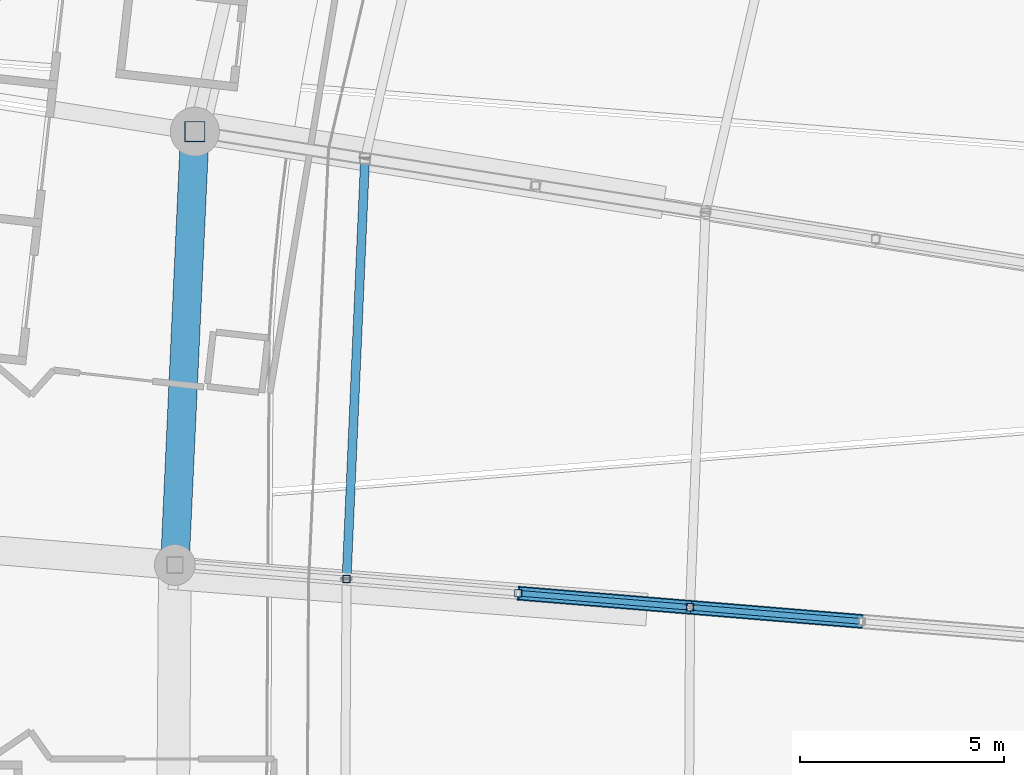
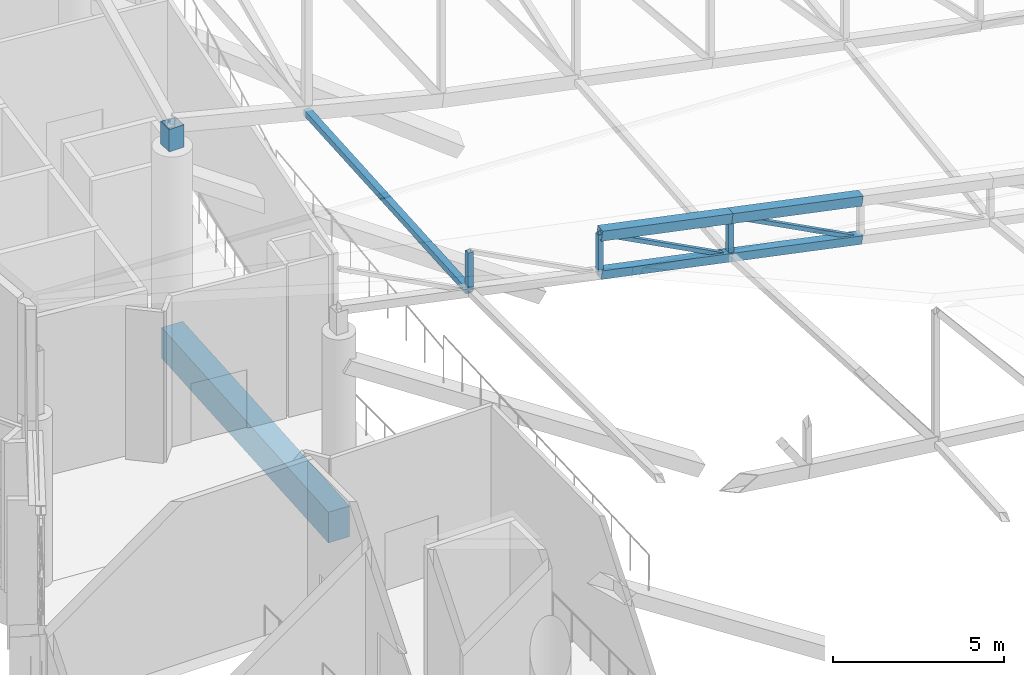
# One storey, part 121 of 344: 11 members, 1 beam.
"""IFC4 building model written with IfcOpenShell, lengths in metres."""

import ifcopenshell
import ifcopenshell.guid

model = None  # the IFC model being written
_history = None  # IfcOwnerHistory: only IFC2X3 demands one
_inside = {}  # id of a spatial element -> (the spatial element, [elements in it])
_under = {}  # id of a project, library or spatial element -> (it, [spatial elements below it])
_declared = {}  # id of a project -> (the project, [libraries it declares])
_typed = {}  # id of a type object -> (the type object, [elements of that type])
_made_of = {}  # id of a material, layer set ... -> (it, [elements and type objects made of it])


def new_model(schema):
    """Start an empty IFC model of exactly this schema.

    Asked for "IFC4X3", IfcOpenShell would pick the latest addendum, in which some entities
    have other attributes; the version numbers below select the first issue.
    IFC2X3 requires an IfcOwnerHistory on every rooted entity: one is made here for all.
    """
    global model, _history
    if schema == "IFC4X3":
        model = ifcopenshell.file(schema_version=(4, 3, 0, 0))
    else:
        model = ifcopenshell.file(schema=schema)
    _inside.clear()
    _under.clear()
    _declared.clear()
    _typed.clear()
    _made_of.clear()
    _history = None
    if model.schema == "IFC2X3":
        org = make("IfcOrganization", Name="unknown")
        user = make(
            "IfcPersonAndOrganization",
            ThePerson=make("IfcPerson", FamilyName="unknown"),
            TheOrganization=org,
        )
        app = make(
            "IfcApplication",
            ApplicationDeveloper=org,
            Version="unknown",
            ApplicationFullName="unknown",
            ApplicationIdentifier="unknown",
        )
        _history = make(
            "IfcOwnerHistory",
            OwningUser=user,
            OwningApplication=app,
            ChangeAction="ADDED",
            CreationDate=0,
        )
    return model


def make(cls, **values):
    """One entity of the class cls with the attributes given. An attribute that is None is left unset."""
    return model.create_entity(
        cls, **{name: value for name, value in values.items() if value is not None}
    )


def rooted(cls, **values):
    """An entity with a GlobalId (a new one), such as an element, a storey or a relation."""
    return make(cls, GlobalId=ifcopenshell.guid.new(), OwnerHistory=_history, **values)


def si_unit(unit_type, name, prefix=None):
    """IfcSIUnit, for example si_unit("LENGTHUNIT", "METRE", prefix="MILLI")."""
    return make("IfcSIUnit", UnitType=unit_type, Prefix=prefix, Name=name)


def assignment(units):
    """IfcUnitAssignment: the units of a project."""
    return None if units is None else make("IfcUnitAssignment", Units=units)


def point(xyz):
    """IfcCartesianPoint."""
    return None if xyz is None else make("IfcCartesianPoint", Coordinates=xyz)


def direction(xyz):
    """IfcDirection."""
    return None if xyz is None else make("IfcDirection", DirectionRatios=xyz)


def frame(location, z_axis=None, x_axis=None):
    """IfcAxis2Placement3D, a coordinate frame: its origin and axes. An axis left out is left unset."""
    return make(
        "IfcAxis2Placement3D",
        Location=point(location),
        Axis=direction(z_axis),
        RefDirection=direction(x_axis),
    )


def frame_2d(location, x_axis=None):
    """IfcAxis2Placement2D, a coordinate frame in the plane: its origin and x axis."""
    return make(
        "IfcAxis2Placement2D", Location=point(location), RefDirection=direction(x_axis)
    )


def origin():
    """The frame at (0, 0, 0) with its axes left unset."""
    return frame((0.0, 0.0, 0.0))


def origin_2d():
    """The frame at (0, 0) in the plane with its x axis left unset."""
    return frame_2d((0.0, 0.0))


def place(relative_to, where):
    """IfcLocalPlacement: puts the frame where relative to a parent placement (None: the world)."""
    return make(
        "IfcLocalPlacement", PlacementRelTo=relative_to, RelativePlacement=where
    )


def context(
    kind, dimensions, precision=None, world=None, true_north=None, identifier=None
):
    """IfcGeometricRepresentationContext, for example the 3D "Model" context."""
    return make(
        "IfcGeometricRepresentationContext",
        ContextIdentifier=identifier,
        ContextType=kind,
        CoordinateSpaceDimension=dimensions,
        Precision=precision,
        WorldCoordinateSystem=world,
        TrueNorth=true_north,
    )


def subcontext(parent, identifier, kind, view, scale=None):
    """IfcGeometricRepresentationSubContext, for example "Body" below "Model"."""
    return make(
        "IfcGeometricRepresentationSubContext",
        ContextIdentifier=identifier,
        ContextType=kind,
        ParentContext=parent,
        TargetScale=scale,
        TargetView=view,
    )


def project(units=None, contexts=None):
    """IfcProject with its units and contexts."""
    return rooted(
        "IfcProject",
        Name="project",
        RepresentationContexts=contexts,
        UnitsInContext=assignment(units),
    )


def spatial(cls, under=None, at=None, **own):
    """A site, building, storey or space (cls), placed at a placement, below another one or the project."""
    s = rooted(cls, ObjectPlacement=at, **own)
    if under is not None:
        _under.setdefault(under.id(), (under, []))[1].append(s)
    return s


def profile(cls, at=None, kind="AREA", **sizes):
    """A parametric profile (cls). Its sizes go by their IFC names, for example OverallWidth=200.0."""
    return make(cls, ProfileType=kind, Position=at, **sizes)


def rectangle(**sizes):
    """IfcRectangleProfileDef."""
    return profile("IfcRectangleProfileDef", **sizes)


def hollow_rectangle(**sizes):
    """IfcRectangleHollowProfileDef."""
    return profile("IfcRectangleHollowProfileDef", **sizes)


def extrude(swept, where, along, depth):
    """IfcExtrudedAreaSolid: the profile swept, set in the frame where, extruded along a direction by depth."""
    return make(
        "IfcExtrudedAreaSolid",
        SweptArea=swept,
        Position=where,
        ExtrudedDirection=direction(along),
        Depth=depth,
    )


def shape(context_of_items, identifier, shape_type, items):
    """IfcShapeRepresentation: the items that make up one representation, for example the "Body"."""
    return make(
        "IfcShapeRepresentation",
        ContextOfItems=context_of_items,
        RepresentationIdentifier=identifier,
        RepresentationType=shape_type,
        Items=items,
    )


def material(Name=None, Category=None):
    """IfcMaterial."""
    return make("IfcMaterial", Name=Name, Category=Category)


def material_profile(
    of_material, cross_section, Name=None, Category=None, Priority=None
):
    """IfcMaterialProfile: a cross section and its material."""
    return make(
        "IfcMaterialProfile",
        Name=Name,
        Material=of_material,
        Profile=cross_section,
        Priority=Priority,
        Category=Category,
    )


def profile_set(profiles, Name=None, composite=None):
    """IfcMaterialProfileSet."""
    return make(
        "IfcMaterialProfileSet",
        Name=Name,
        MaterialProfiles=profiles,
        CompositeProfile=composite,
    )


def made_of(thing, what):
    """Note that an element or type object is made of a material, layer set ...; save() writes the relation."""
    if what is not None:
        _made_of.setdefault(what.id(), (what, []))[1].append(thing)
    return thing


def type_object(cls, material=None, **own):
    """A type object (cls), such as IfcWallType, which elements share."""
    return made_of(rooted(cls, **own), material)


def element(
    cls,
    number,
    at=None,
    inside=None,
    cuts=None,
    type_object=None,
    material=None,
    context=None,
    identifier="Body",
    shape_type=None,
    held_by="IfcProductDefinitionShape",
    body=None,
    shapes=None,
    **own,
):
    """One element of the class cls, such as IfcWall. Its Tag is "e" and its number.

    at: its placement. inside: the storey or other place that contains it. cuts: it is an
    opening in that element (IfcRelVoidsElement). A single representation is given by context,
    identifier, shape_type and body (its items); several are given by shapes. held_by: the class
    of the entity that holds the representations. save() writes the other relations.
    """
    e = rooted(cls, Tag="e%d" % number, ObjectPlacement=at, **own)
    if body is not None:
        shapes = [shape(context, identifier, shape_type, body)]
    if shapes is not None:
        e.Representation = make(held_by, Representations=shapes)
    if inside is not None:
        _inside.setdefault(inside.id(), (inside, []))[1].append(e)
    if cuts is not None:
        rooted(
            "IfcRelVoidsElement", RelatingBuildingElement=cuts, RelatedOpeningElement=e
        )
    if type_object is not None:
        _typed.setdefault(type_object.id(), (type_object, []))[1].append(e)
    return made_of(e, material)


def aggregate(whole, parts):
    """IfcRelAggregates: a whole, such as a stair, and the parts it consists of."""
    return rooted("IfcRelAggregates", RelatingObject=whole, RelatedObjects=parts)


def save(model, path):
    """Write the relations noted so far, then the file.

    IfcRelAggregates (storeys below a building ...), IfcRelContainedInSpatialStructure (elements
    in a storey), IfcRelDefinesByType, IfcRelAssociatesMaterial and IfcRelDeclares: one each for
    every whole, place, type object, material and project.
    """
    for whole, parts in _under.values():
        aggregate(whole, parts)
    for where, things in _inside.values():
        rooted(
            "IfcRelContainedInSpatialStructure",
            RelatedElements=things,
            RelatingStructure=where,
        )
    for kind, things in _typed.values():
        rooted("IfcRelDefinesByType", RelatedObjects=things, RelatingType=kind)
    for what, things in _made_of.values():
        rooted("IfcRelAssociatesMaterial", RelatedObjects=things, RelatingMaterial=what)
    for by, libraries in _declared.values():
        rooted("IfcRelDeclares", RelatingContext=by, RelatedDefinitions=libraries)
    model.write(path)


model = new_model("IFC4")

# Units and contexts
model_context = context("Model", 3, precision=1e-05, world=origin(), true_north=direction((0.0, 1.0)))
body_context = subcontext(model_context, "Body", "Model", "MODEL_VIEW")
ifc_project = project(units=[si_unit("LENGTHUNIT", "METRE"), si_unit("AREAUNIT", "SQUARE_METRE"), si_unit("VOLUMEUNIT", "CUBIC_METRE"), si_unit("PLANEANGLEUNIT", "RADIAN"), si_unit("MASSUNIT", "GRAM", prefix="KILO")], contexts=[model_context])

# Site, building, storey
site_placement = place(None, origin())
site = spatial("IfcSite", under=ifc_project, at=site_placement, CompositionType="ELEMENT")
building_placement = place(site_placement, origin())
building = spatial("IfcBuilding", under=site, at=building_placement, Name="Meseta Stadium", CompositionType="ELEMENT")
storey_placement = place(building_placement, frame((0.0, 0.0, 24.0)))
storey = spatial("IfcBuildingStorey", under=building, at=storey_placement, Name="L04", CompositionType="ELEMENT", Elevation=24.0)

# Beam
ifc_material_1 = material(Name="Concrete C40/50", Category="concrete")
ifc_material_profile_1 = material_profile(ifc_material_1, rectangle(XDim=0.699951171875, YDim=1.10009765625, at=origin_2d()), Name="RC 700x1100")
ifc_profile_set_1 = profile_set([ifc_material_profile_1], Name="Concrete C40/50")
beam_type = type_object("IfcBeamType", Name="RC beam 700x1100", PredefinedType="BEAM", material=ifc_profile_set_1)
beam_placement = place(storey_placement, frame((-84.36328125, 53.5654296875, -0.949951171875), z_axis=(-0.046171416705, -0.998933531462, 0.0), x_axis=(0.998933531462, -0.046171416705, 0.0)))
element("IfcBeam", 1, at=beam_placement, inside=storey, type_object=beam_type, Name="L04 ring beam frame 28 line P", PredefinedType="BEAM", context=body_context, shape_type="SweptSolid", body=[
    extrude(rectangle(XDim=0.699951171875, YDim=1.10009765625, at=origin_2d()), origin(), (0.0, 0.0, 1.0), 10.628173828125),
])

# Members
ifc_material_2 = material(Name="Steel S355", Category="steel")
ifc_material_profile_2 = material_profile(ifc_material_2, hollow_rectangle(XDim=0.139892578125, YDim=0.139892578125, WallThickness=0.0048828125, at=origin_2d()), Name="SHS 140x140x5")
ifc_profile_set_2 = profile_set([ifc_material_profile_2], Name="Steel S355")
member_type_1 = type_object("IfcMemberType", Name="SHS 140x140x5 diagonal", PredefinedType="BRACE", material=ifc_profile_set_2)
member_1_placement = place(storey_placement, frame((-68.022216796875, 41.564453125, 4.26611328125), z_axis=(-0.897440346301, 0.073780051677, 0.434922210063), x_axis=(-0.081935226242, -0.996637656674, 0.0)))
element("IfcMember", 2, at=member_1_placement, inside=storey, type_object=member_type_1, Name="ROOF TRUSS RT-29 diagonal", PredefinedType="BRACE", context=body_context, shape_type="SweptSolid", body=[
    extrude(hollow_rectangle(XDim=0.139892578125, YDim=0.139892578125, WallThickness=0.0048828125, at=origin_2d()), origin(), (0.0, 0.0, 1.0), 4.68896484375),
])
member_2_placement = place(storey_placement, frame((-72.230224609375, 41.910400390625, 4.899658203125), z_axis=(-0.897430213156, 0.073783499393, 0.434942533826), x_axis=(-0.081939948326, -0.996637268452, 0.0)))
element("IfcMember", 3, at=member_2_placement, inside=storey, type_object=member_type_1, Name="ROOF TRUSS RT-29 diagonal", PredefinedType="BRACE", context=body_context, shape_type="SweptSolid", body=[
    extrude(hollow_rectangle(XDim=0.139892578125, YDim=0.139892578125, WallThickness=0.0048828125, at=origin_2d()), origin(), (0.0, 0.0, 1.0), 4.688720703125),
])
ifc_material_3 = material(Name="Steel S355", Category="steel")
ifc_material_profile_3 = material_profile(ifc_material_3, hollow_rectangle(XDim=0.179931640625, YDim=0.179931640625, WallThickness=0.00634765625, at=origin_2d()), Name="SHS 180x180x6.3")
ifc_profile_set_3 = profile_set([ifc_material_profile_3], Name="Steel S355")
member_type_2 = type_object("IfcMemberType", Name="SHS 180x180x6.3 post", PredefinedType="POST", material=ifc_profile_set_3)
member_3_placement = place(storey_placement, frame((-72.230224609375, 41.910400390625, 4.899658203125), z_axis=(0.0, 0.0, 1.0), x_axis=(1.0, 0.0, 0.0)))
element("IfcMember", 4, at=member_3_placement, inside=storey, type_object=member_type_2, Name="ROOF TRUSS RT-29 post", PredefinedType="POST", context=body_context, shape_type="SweptSolid", body=[
    extrude(hollow_rectangle(XDim=0.179931640625, YDim=0.179931640625, WallThickness=0.00634765625, at=origin_2d()), origin(), (0.0, 0.0, 1.0), 1.40576171875),
])
for number, where, z_axis, x_axis, name in (
    (5, (-76.43798828125, 42.25634765625, 5.532958984375), (0.0, 0.0, 1.0), (1.0, 0.0, 0.0), "ROOF TRUSS RT-29 post"),
    (6, (-80.64599609375, 42.6025390625, 6.16650390625), (0.0, 0.0, 1.0), (1.0, 0.0, 0.0), "ROOF TRUSS RT-29 post"),
):
    element("IfcMember", number, at=place(storey_placement, frame(where, z_axis=z_axis, x_axis=x_axis)), inside=storey, type_object=member_type_2, Name=name, PredefinedType="POST", context=body_context, shape_type="SweptSolid", body=[
        extrude(hollow_rectangle(XDim=0.179931640625, YDim=0.179931640625, WallThickness=0.00634765625, at=origin_2d()), origin(), (0.0, 0.0, 1.0), 1.406005859375),
    ])
ifc_material_4 = material(Name="Steel S355", Category="steel")
ifc_material_profile_4 = material_profile(ifc_material_4, hollow_rectangle(XDim=0.219970703125, YDim=0.219970703125, WallThickness=0.008056640625, at=origin_2d()), Name="SHS 220x220x8")
ifc_profile_set_4 = profile_set([ifc_material_profile_4], Name="Steel S355")
member_type_3 = type_object("IfcMemberType", Name="SHS 220x220x8 strut", PredefinedType="STRUT", material=ifc_profile_set_4)
member_4_placement = place(storey_placement, frame((-80.19287109375, 52.90625, 6.160888671875), z_axis=(-0.043934404422, -0.999034269526, 0.000544445744), x_axis=(0.999034417593, -0.043934410934, 0.0)))
element("IfcMember", 7, at=member_4_placement, inside=storey, type_object=member_type_3, Name="ROOF TRUSS STRUT RT-28/29", PredefinedType="STRUT", context=body_context, shape_type="SweptSolid", body=[
    extrude(hollow_rectangle(XDim=0.219970703125, YDim=0.219970703125, WallThickness=0.008056640625, at=origin_2d()), origin(), (0.0, 0.0, 1.0), 10.313720703125),
])
ifc_material_5 = material(Name="Steel S355", Category="steel")
ifc_material_profile_5 = material_profile(ifc_material_5, hollow_rectangle(XDim=0.300048828125, YDim=0.300048828125, WallThickness=0.010009765625, at=origin_2d()), Name="SHS 300x300x10")
ifc_profile_set_5 = profile_set([ifc_material_profile_5], Name="Steel S355")
member_type_4 = type_object("IfcMemberType", Name="SHS 300x300x10 bottom chord", PredefinedType="CHORD", material=ifc_profile_set_5)
member_5_placement = place(storey_placement, frame((-68.022216796875, 41.564453125, 4.26611328125), z_axis=(-0.985603870366, 0.081028120464, 0.148389536064), x_axis=(-0.081935226242, -0.996637656674, 0.0)))
element("IfcMember", 8, at=member_5_placement, inside=storey, type_object=member_type_4, Name="ROOF TRUSS RT-29 bottom chord", PredefinedType="CHORD", context=body_context, shape_type="SweptSolid", body=[
    extrude(hollow_rectangle(XDim=0.300048828125, YDim=0.300048828125, WallThickness=0.010009765625, at=origin_2d()), origin(), (0.0, 0.0, 1.0), 4.26953125),
])
member_6_placement = place(storey_placement, frame((-72.230224609375, 41.910400390625, 4.899658203125), z_axis=(-0.985610598262, 0.081033374977, 0.148341972259), x_axis=(-0.081939948326, -0.996637268452, 0.0)))
element("IfcMember", 9, at=member_6_placement, inside=storey, type_object=member_type_4, Name="ROOF TRUSS RT-29 bottom chord", PredefinedType="CHORD", context=body_context, shape_type="SweptSolid", body=[
    extrude(hollow_rectangle(XDim=0.300048828125, YDim=0.300048828125, WallThickness=0.010009765625, at=origin_2d()), origin(), (0.0, 0.0, 1.0), 4.269287109375),
])
ifc_material_6 = material(Name="Steel S355", Category="steel")
ifc_material_profile_6 = material_profile(ifc_material_6, hollow_rectangle(XDim=0.35009765625, YDim=0.35009765625, WallThickness=0.010009765625, at=origin_2d()), Name="SHS 350x350x10")
ifc_profile_set_6 = profile_set([ifc_material_profile_6], Name="Steel S355")
member_type_5 = type_object("IfcMemberType", Name="SHS 350x350x10 top chord", PredefinedType="CHORD", material=ifc_profile_set_6)
member_7_placement = place(storey_placement, frame((-68.022216796875, 41.564453125, 5.672119140625), z_axis=(-0.985612232044, 0.081028807891, 0.148333611622), x_axis=(-0.081935226242, -0.996637656674, 0.0)))
element("IfcMember", 10, at=member_7_placement, inside=storey, type_object=member_type_5, Name="ROOF TRUSS RT-29 top chord", PredefinedType="CHORD", context=body_context, shape_type="SweptSolid", body=[
    extrude(hollow_rectangle(XDim=0.35009765625, YDim=0.35009765625, WallThickness=0.010009765625, at=origin_2d()), origin(), (0.0, 0.0, 1.0), 4.26953125),
])
member_8_placement = place(storey_placement, frame((-72.230224609375, 41.910400390625, 6.305419921875), z_axis=(-0.985602235655, 0.081032687434, 0.148397899711), x_axis=(-0.081939948326, -0.996637268452, 0.0)))
element("IfcMember", 11, at=member_8_placement, inside=storey, type_object=member_type_5, Name="ROOF TRUSS RT-29 top chord", PredefinedType="CHORD", context=body_context, shape_type="SweptSolid", body=[
    extrude(hollow_rectangle(XDim=0.35009765625, YDim=0.35009765625, WallThickness=0.010009765625, at=origin_2d()), origin(), (0.0, 0.0, 1.0), 4.269287109375),
])
ifc_material_7 = material(Name="Steel S355", Category="steel")
ifc_material_profile_7 = material_profile(ifc_material_7, hollow_rectangle(XDim=0.5, YDim=0.5, WallThickness=0.01611328125, at=origin_2d()), Name="SHS 500x500x16")
ifc_profile_set_7 = profile_set([ifc_material_profile_7], Name="Steel S355")
member_type_6 = type_object("IfcMemberType", Name="SHS 500x500x16 pedestal", PredefinedType="POST", material=ifc_profile_set_7)
member_9_placement = place(storey_placement, frame((-84.36328125, 53.5654296875, 6.0), z_axis=(0.0, 0.0, 1.0), x_axis=(1.0, 0.0, 0.0)))
element("IfcMember", 12, at=member_9_placement, inside=storey, type_object=member_type_6, Name="ROOF TRUSS RT-28 pedestal", PredefinedType="POST", context=body_context, shape_type="SweptSolid", body=[
    extrude(hollow_rectangle(XDim=0.5, YDim=0.5, WallThickness=0.01611328125, at=origin_2d()), origin(), (0.0, 0.0, 1.0), 0.800048828125),
])

save(model, "model.ifc")
